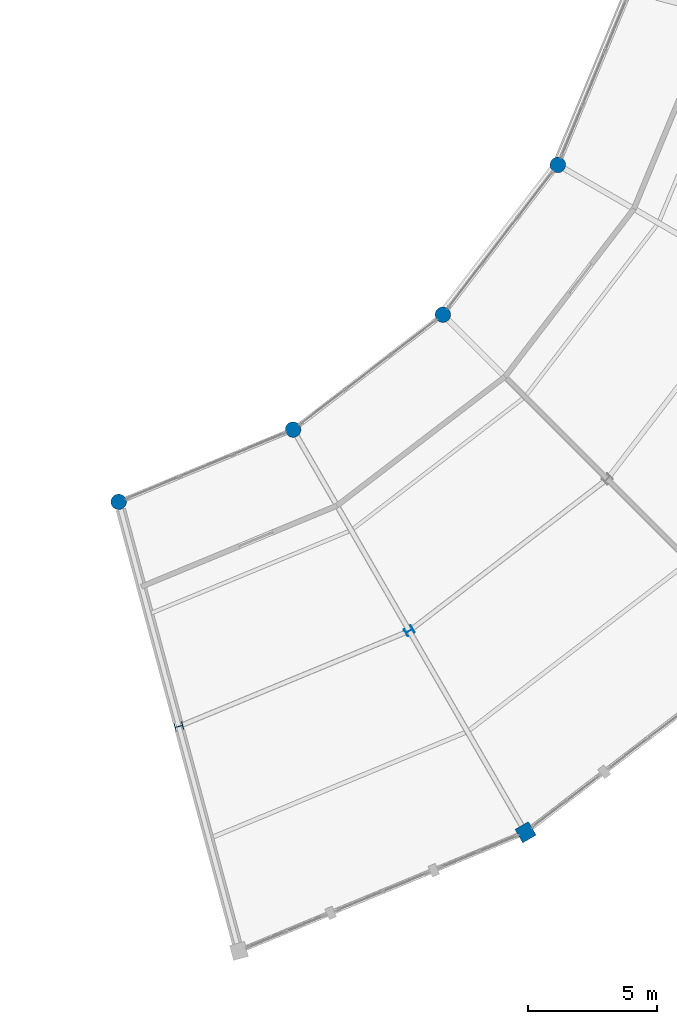
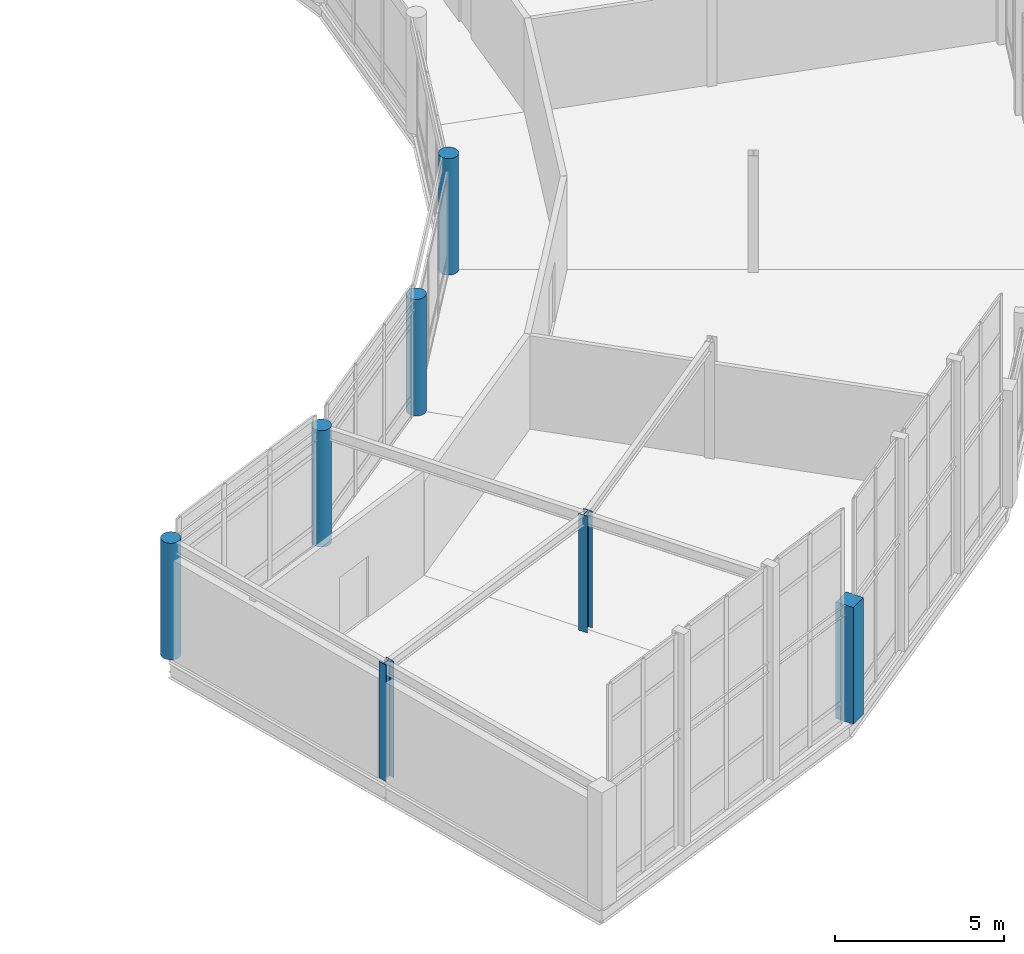
# One storey, part 5 of 170: 7 columns.
"""IFC4 building model written with IfcOpenShell, lengths in metres."""

from ifc_helpers import new_model, si_unit, direction, frame, origin, origin_2d, place, context, subcontext, project, spatial, rectangle, circle, i_section, extrude, material, material_profile, profile_set, type_object, element, save


model = new_model("IFC4")

# Units and contexts
model_context = context("Model", 3, precision=1e-05, world=origin(), true_north=direction((0.0, 1.0)))
body_context = subcontext(model_context, "Body", "Model", "MODEL_VIEW")
ifc_project = project(units=[si_unit("LENGTHUNIT", "METRE"), si_unit("AREAUNIT", "SQUARE_METRE"), si_unit("VOLUMEUNIT", "CUBIC_METRE"), si_unit("PLANEANGLEUNIT", "RADIAN"), si_unit("MASSUNIT", "GRAM", prefix="KILO")], contexts=[model_context])

# Site, building, storey
site_placement = place(None, origin())
site = spatial("IfcSite", under=ifc_project, at=site_placement, CompositionType="ELEMENT")
building_placement = place(site_placement, origin())
building = spatial("IfcBuilding", under=site, at=building_placement, Name="Vondelvale Polytechnic", CompositionType="ELEMENT")
storey_placement = place(building_placement, frame((0.0, 0.0, 5.39990234375)))
storey = spatial("IfcBuildingStorey", under=building, at=storey_placement, Name="L01", CompositionType="ELEMENT", Elevation=5.39990234375)

# Columns
ifc_material_1 = material(Name="Concrete N50 (f'c = 50 MPa)", Category="concrete")
ifc_material_profile_1 = material_profile(ifc_material_1, rectangle(XDim=0.60009765625, YDim=0.60009765625, at=origin_2d()), Name="RC-COL-600x600")
ifc_profile_set_1 = profile_set([ifc_material_profile_1], Name="Concrete N50 (f'c = 50 MPa)")
column_type_1 = type_object("IfcColumnType", Name="COL-RC600", PredefinedType="COLUMN", material=ifc_profile_set_1)
column_placement = place(storey_placement, frame((125.0, 32.162841796875, 0.0), z_axis=(0.0, 0.0, 1.0), x_axis=(-0.5, 0.866025403784, 0.0)))
element("IfcColumn", 1, at=column_placement, inside=storey, type_object=column_type_1, Name="L01 courtyard ring column S20-RO", PredefinedType="COLUMN", context=body_context, shape_type="SweptSolid", body=[
    extrude(rectangle(XDim=0.60009765625, YDim=0.60009765625, at=origin_2d()), origin(), (0.0, 0.0, 1.0), 4.2001953125),
])
ifc_material_profile_2 = material_profile(ifc_material_1, circle(Radius=0.300048828125, at=origin_2d()), Name="RC-COL-D600")
ifc_profile_set_2 = profile_set([ifc_material_profile_2], Name="Concrete N50 (f'c = 50 MPa)")
column_type_2 = type_object("IfcColumnType", Name="COL-RCD600", PredefinedType="COLUMN", material=ifc_profile_set_2)
for number, where, z_axis, x_axis, name in (
    (2, (109.246826171875, 44.9541015625, 0.0), (0.0, 0.0, 1.0), (-0.258819045103, 0.965925826289, 0.0), "L01 courtyard ring column S19-RI"),
    (3, (116.0, 47.751220703125, 0.0), (0.0, 0.0, 1.0), (-0.5, 0.866025403784, 0.0), "L01 courtyard ring column S20-RI"),
    (4, (121.799072265625, 52.200927734375, 0.0), (0.0, 0.0, 1.0), (-0.707106781187, 0.707106781187, 0.0), "L01 courtyard ring column S21-RI"),
    (5, (126.248779296875, 58.0, 0.0), (0.0, 0.0, 1.0), (-0.866025403784, 0.5, 0.0), "L01 courtyard ring column S22-RI"),
):
    element("IfcColumn", number, at=place(storey_placement, frame(where, z_axis=z_axis, x_axis=x_axis)), inside=storey, type_object=column_type_2, Name=name, PredefinedType="COLUMN", context=body_context, shape_type="SweptSolid", body=[
        extrude(circle(Radius=0.300048828125, at=origin_2d()), origin(), (0.0, 0.0, 1.0), 4.2001953125),
    ])
ifc_material_2 = material(Name="Steel 300PLUS (fy = 300 MPa)", Category="steel")
ifc_material_profile_3 = material_profile(ifc_material_2, i_section(OverallWidth=0.306884765625, OverallDepth=0.31494140625, WebThickness=0.011962890625, FlangeThickness=0.018798828125, FilletRadius=0.0166015625, at=origin_2d()), Name="310UC118")
ifc_profile_set_3 = profile_set([ifc_material_profile_3], Name="Steel 300PLUS (fy = 300 MPa)")
column_type_3 = type_object("IfcColumnType", Name="COL-UC310", PredefinedType="COLUMN", material=ifc_profile_set_3)
for number, where, z_axis, x_axis, name in (
    (6, (111.576416015625, 36.2607421875, 0.0), (0.0, 0.0, 1.0), (-0.258819045103, 0.965925826289, 0.0), "L01 courtyard ring column S19-RM"),
    (7, (120.5, 39.95703125, 0.0), (0.0, 0.0, 1.0), (-0.5, 0.866025403784, 0.0), "L01 courtyard ring column S20-RM"),
):
    element("IfcColumn", number, at=place(storey_placement, frame(where, z_axis=z_axis, x_axis=x_axis)), inside=storey, type_object=column_type_3, Name=name, PredefinedType="COLUMN", context=body_context, shape_type="SweptSolid", body=[
        extrude(i_section(OverallWidth=0.306884765625, OverallDepth=0.31494140625, WebThickness=0.011962890625, FlangeThickness=0.018798828125, FilletRadius=0.0166015625, at=origin_2d()), origin(), (0.0, 0.0, 1.0), 4.2001953125),
    ])

save(model, "model.ifc")
